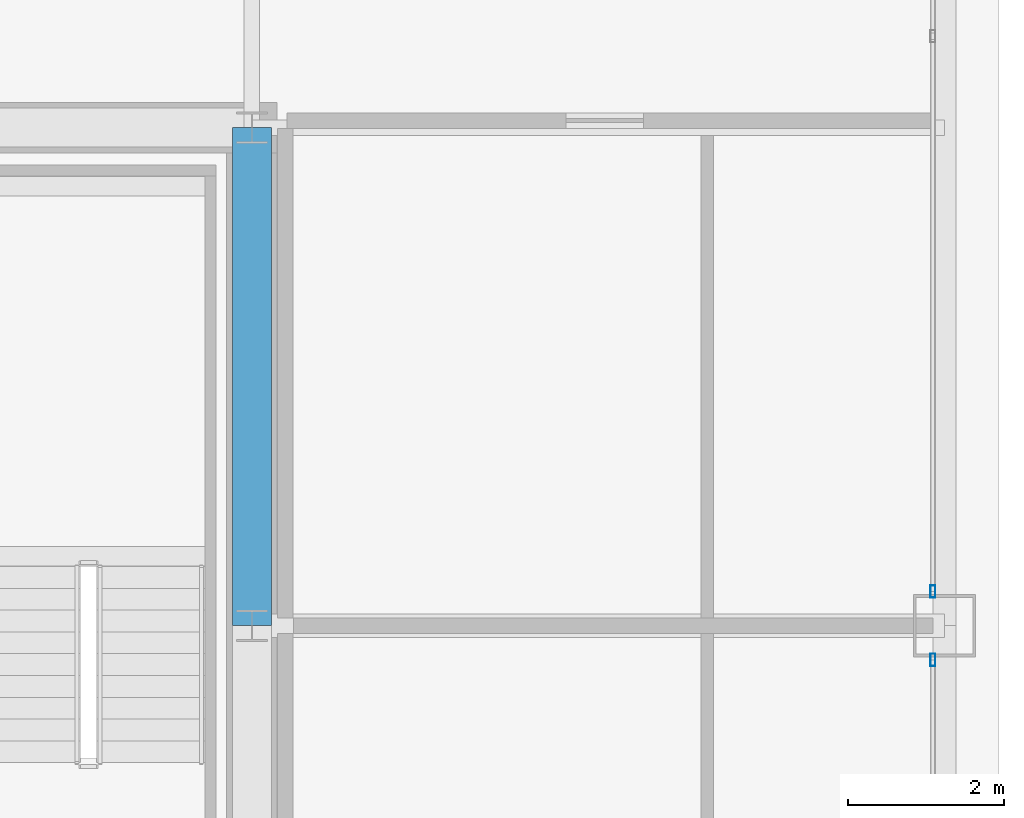
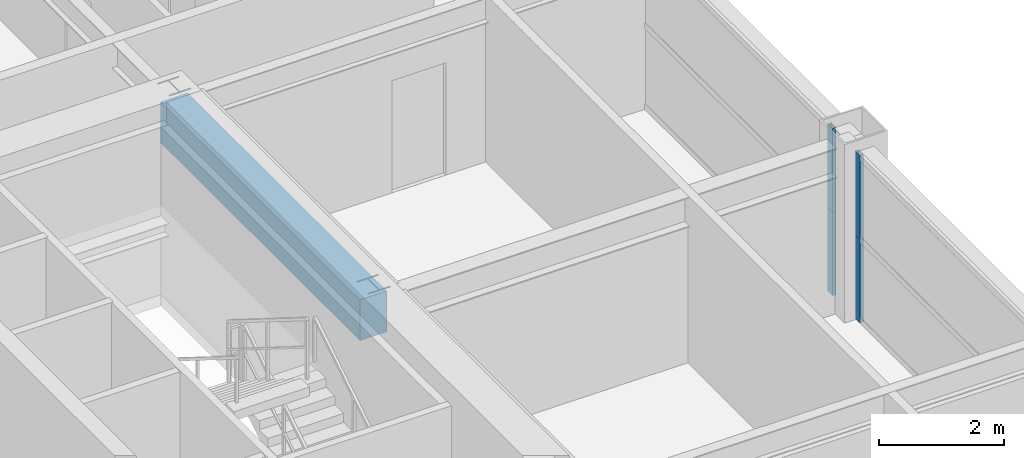
# One storey, part 20 of 38: 4 members, 1 beam, 2 elements without a shape of their own.
"""IFC4 building model written with IfcOpenShell, lengths in metres."""

from ifc_helpers import new_model, si_unit, direction, frame, origin, origin_2d, place, context, subcontext, project, spatial, rectangle, hollow_rectangle, extrude, source, transform, mapped, material, layer, layer_set, material_profile, profile_set, type_object, element, aggregate, save


model = new_model("IFC4")

# Units and contexts
model_context = context("Model", 3, precision=1e-05, world=origin(), true_north=direction((0.0, 1.0)))
body_context = subcontext(model_context, "Body", "Model", "MODEL_VIEW")
ifc_project = project(units=[si_unit("LENGTHUNIT", "METRE"), si_unit("AREAUNIT", "SQUARE_METRE"), si_unit("VOLUMEUNIT", "CUBIC_METRE"), si_unit("PLANEANGLEUNIT", "RADIAN"), si_unit("MASSUNIT", "GRAM", prefix="KILO"), si_unit("THERMODYNAMICTEMPERATUREUNIT", "KELVIN"), si_unit("POWERUNIT", "WATT")], contexts=[model_context])

# Site, building, storey
site_placement = place(None, origin())
site = spatial("IfcSite", under=ifc_project, at=site_placement, CompositionType="ELEMENT")
building_placement = place(site_placement, origin())
building = spatial("IfcBuilding", under=site, at=building_placement, Name="Yuzanri Waterfront Tower", CompositionType="ELEMENT")
storey_placement = place(building_placement, frame((0.0, 0.0, 209.0)))
storey = spatial("IfcBuildingStorey", under=building, at=storey_placement, Name="L55", CompositionType="ELEMENT", Elevation=209.0)

# Beam
ifc_material_1 = material(Name="Concrete C50", Category="concrete")
ifc_material_profile_1 = material_profile(ifc_material_1, rectangle(XDim=0.5, YDim=0.800048828125, at=origin_2d()), Name="RC 500x800")
ifc_profile_set_1 = profile_set([ifc_material_profile_1], Name="Concrete C50")
beam_type = type_object("IfcBeamType", Name="Core Coupling Lintel Concrete C50 500x800", PredefinedType="LINTEL", material=ifc_profile_set_1)
shared_shape_1 = source(origin(), body_context, "Body", "SweptSolid", [
    extrude(rectangle(XDim=0.5, YDim=0.800048828125, at=origin_2d()), origin(), (0.0, 0.0, 1.0), 6.39990234375),
])
beam_placement = place(storey_placement, frame((50.199951171875, 25.800048828125, 2.8798828125), z_axis=(0.0, 1.0, 0.0), x_axis=(-1.0, 0.0, 0.0)))
element("IfcBeam", 1, at=beam_placement, inside=storey, type_object=beam_type, Name="L55 Core Tie Beam CE2", PredefinedType="LINTEL", context=body_context, shape_type="MappedRepresentation", body=[
    mapped(shared_shape_1, transform((0.0, 0.0, 0.0), scale=1.0)),
])

# Curtain wall, members
ifc_material_2 = material(Name="Anodized Architectural Bronze", Category="metal")
ifc_layer = layer(ifc_material_2, 0.159912109375)
ifc_layer_set = layer_set([ifc_layer], Name="Anodized Architectural Bronze")
curtain_wall_type = type_object("IfcCurtainWallType", Name="Anodized Bronze Mid-Rise Residential Acoustic Unitized Curtain Wall 7200", PredefinedType="NOTDEFINED", material=ifc_layer_set)
curtain_wall_1_placement = place(storey_placement, origin())
curtain_wall_1 = element("IfcCurtainWall", 2, at=curtain_wall_1_placement, inside=storey, type_object=curtain_wall_type, Name="L55 Curtain Wall CW-L55-EL", PredefinedType="NOTDEFINED")
ifc_material_3 = material(Name="Anodized Architectural Bronze", Category="metal")
ifc_material_profile_2 = material_profile(ifc_material_3, hollow_rectangle(XDim=0.06494140625, YDim=0.159912109375, WallThickness=0.00341796875, at=origin_2d()), Name="CWM 65x160")
ifc_profile_set_2 = profile_set([ifc_material_profile_2], Name="Anodized Architectural Bronze")
member_type = type_object("IfcMemberType", Name="Anodized Bronze Upper-Zone Curtain-Wall Mullion 65x160", PredefinedType="MULLION", material=ifc_profile_set_2)
shared_shape_2 = source(origin(), body_context, "Body", "SweptSolid", [
    extrude(hollow_rectangle(XDim=0.06494140625, YDim=0.159912109375, WallThickness=0.00341796875, at=origin_2d()), origin(), (0.0, 0.0, 1.0), 1.637939453125),
])
member_1_placement = place(storey_placement, frame((58.949951171875, 25.360107421875, 0.0), z_axis=(0.0, 0.0, 1.0), x_axis=(1.0, 0.0, 0.0)))
member_1 = element("IfcMember", 3, at=member_1_placement, type_object=member_type, Name="CW-L55-EL Lower Mullion 02", PredefinedType="MULLION", context=body_context, shape_type="MappedRepresentation", body=[
    mapped(shared_shape_2, transform((0.0, 0.0, 0.0), scale=1.0)),
])
member_2_placement = place(storey_placement, frame((58.949951171875, 25.360107421875, 1.64208984375), z_axis=(0.0, 0.0, 1.0), x_axis=(1.0, 0.0, 0.0)))
member_2 = element("IfcMember", 4, at=member_2_placement, type_object=member_type, Name="CW-L55-EL Upper Mullion 02", PredefinedType="MULLION", context=body_context, shape_type="MappedRepresentation", body=[
    mapped(shared_shape_2, transform((0.0, 0.0, 0.0), scale=1.0)),
])
aggregate(curtain_wall_1, [member_1, member_2])

curtain_wall_2_placement = place(storey_placement, origin())
curtain_wall_2 = element("IfcCurtainWall", 5, at=curtain_wall_2_placement, inside=storey, type_object=curtain_wall_type, Name="L55 Curtain Wall CW-L55-ER", PredefinedType="NOTDEFINED")
member_3_placement = place(storey_placement, frame((58.949951171875, 26.239990234375, 0.0), z_axis=(0.0, 0.0, 1.0), x_axis=(1.0, 0.0, 0.0)))
member_3 = element("IfcMember", 6, at=member_3_placement, type_object=member_type, Name="CW-L55-ER Lower Mullion 00", PredefinedType="MULLION", context=body_context, shape_type="MappedRepresentation", body=[
    mapped(shared_shape_2, transform((0.0, 0.0, 0.0), scale=1.0)),
])
member_4_placement = place(storey_placement, frame((58.949951171875, 26.239990234375, 1.64208984375), z_axis=(0.0, 0.0, 1.0), x_axis=(1.0, 0.0, 0.0)))
member_4 = element("IfcMember", 7, at=member_4_placement, type_object=member_type, Name="CW-L55-ER Upper Mullion 00", PredefinedType="MULLION", context=body_context, shape_type="MappedRepresentation", body=[
    mapped(shared_shape_2, transform((0.0, 0.0, 0.0), scale=1.0)),
])
aggregate(curtain_wall_2, [member_3, member_4])

save(model, "model.ifc")
